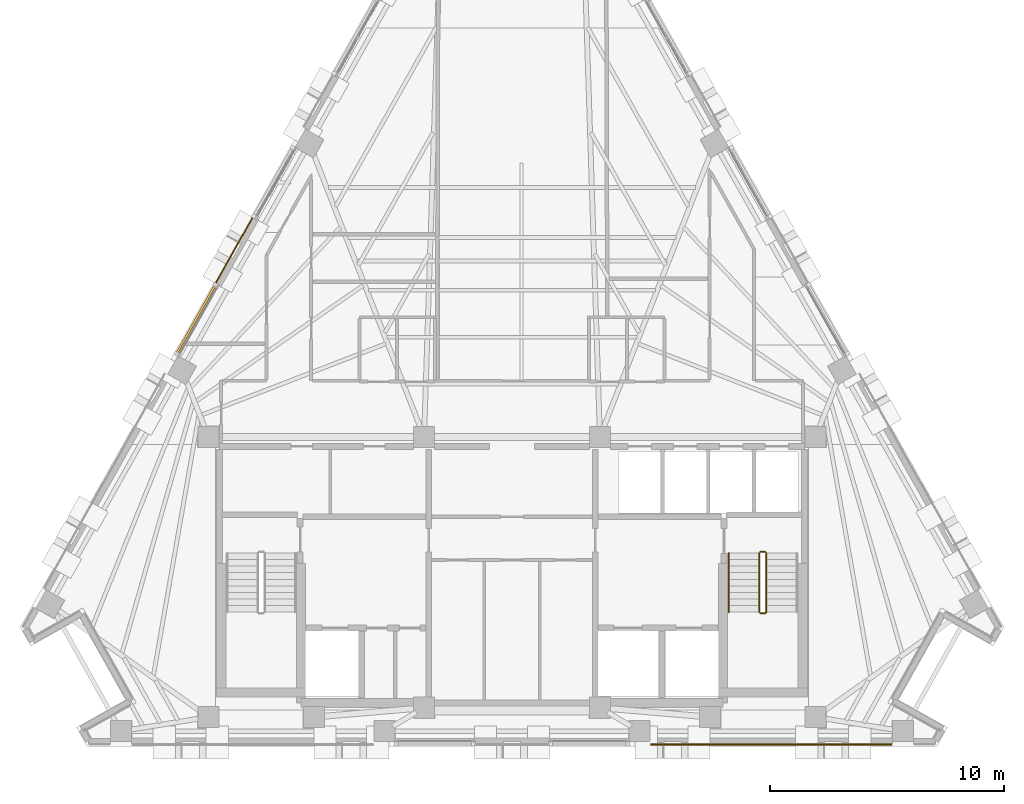
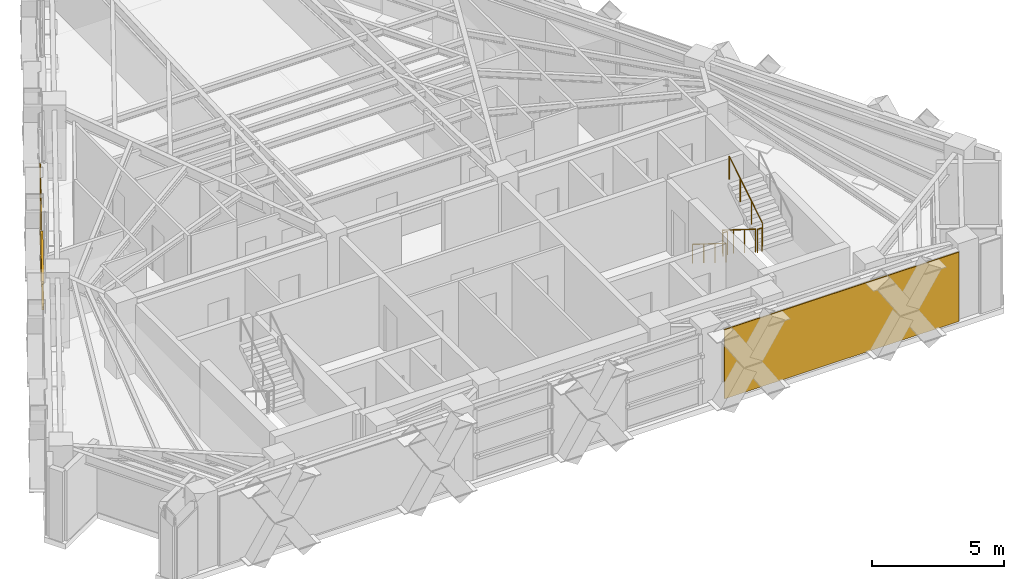
# One storey, part 12 of 13: 5 railings, 2 coverings, 2 shading devices.
"""IFC4 building model written with IfcOpenShell, lengths in metres."""

from ifc_helpers import new_model, si_unit, direction, frame, origin, origin_2d, place, context, subcontext, project, spatial, polyline, rectangle, circle, outline, extrude, material, layer, layer_set, material_profile, profile_set, type_object, element, save


model = new_model("IFC4")

# Units and contexts
model_context = context("Model", 3, precision=1e-05, world=origin(), true_north=direction((0.0, 1.0)))
body_context = subcontext(model_context, "Body", "Model", "MODEL_VIEW")
ifc_project = project(units=[si_unit("LENGTHUNIT", "METRE"), si_unit("AREAUNIT", "SQUARE_METRE"), si_unit("VOLUMEUNIT", "CUBIC_METRE"), si_unit("PLANEANGLEUNIT", "RADIAN"), si_unit("MASSUNIT", "GRAM", prefix="KILO")], contexts=[model_context])

# Site, building, storey
site_placement = place(None, origin())
site = spatial("IfcSite", under=ifc_project, at=site_placement, CompositionType="ELEMENT")
building_placement = place(site_placement, origin())
building = spatial("IfcBuilding", under=site, at=building_placement, Name="Quenlor Broadcast Tower", CompositionType="ELEMENT")
storey_placement = place(building_placement, frame((0.0, 0.0, 214.89990234375)))
storey = spatial("IfcBuildingStorey", under=building, at=storey_placement, Name="L59", CompositionType="ELEMENT", Elevation=214.89990234375)

# Shading devices
ifc_material_1 = material(Name="Architectural Terracotta Ceramic", Category="masonry")
ifc_material_profile = material_profile(ifc_material_1, rectangle(XDim=0.090087890625, YDim=0.139892578125, at=origin_2d()))
ifc_profile_set = profile_set([ifc_material_profile], Name="Architectural Terracotta Ceramic BAG90x140")
shading_device_type = type_object("IfcShadingDeviceType", Name="Copper Terracotta Baguette Solar Screen 140", PredefinedType="USERDEFINED", material=ifc_profile_set)
for number, where, z_axis, x_axis, name in (
    (1, (-14.307861328125, -1.244384765625, 1.170166015625), (0.490195776457, 0.871612356925, 0.0), (-0.871612356925, 0.490195776457, 0.0), "L59 Terracotta Baguette Screen 1"),
    (2, (-14.307861328125, -1.244384765625, 2.340087890625), (0.490195776457, 0.871612356925, 0.0), (-0.871612356925, 0.490195776457, 0.0), "L59 Terracotta Baguette Screen 2"),
):
    element("IfcShadingDevice", number, at=place(storey_placement, frame(where, z_axis=z_axis, x_axis=x_axis)), inside=storey, type_object=shading_device_type, Name=name, ObjectType="BAGUETTE", PredefinedType="USERDEFINED", context=body_context, shape_type="SweptSolid", body=[
        extrude(rectangle(XDim=0.090087890625, YDim=0.139892578125, at=origin_2d()), origin(), (0.0, 0.0, 1.0), 3.3642578125),
    ])

# Coverings
ifc_material_2 = material(Name="Architectural Terracotta Ceramic", Category="masonry")
ifc_layer = layer(ifc_material_2, 0.044921875)
ifc_layer_set = layer_set([ifc_layer], Name="Fluted Terracotta Rainscreen Cladding Panel")
covering_type = type_object("IfcCoveringType", Name="Fluted Terracotta Rainscreen Cladding Panel", PredefinedType="CLADDING", material=ifc_layer_set)
covering_1_placement = place(storey_placement, frame((0.0, 0.0, 0.02001953125)))
element("IfcCovering", 3, at=covering_1_placement, inside=storey, type_object=covering_type, Name="L59 Terracotta Rainscreen Cladding L59-EW-SA", PredefinedType="CLADDING", context=body_context, shape_type="SweptSolid", body=[
    extrude(outline(polyline([(16.19091796875, -17.89697265625), (5.9228515625, -17.89697265625), (5.9228515625, -17.94189453125), (16.19091796875, -17.94189453125), (16.19091796875, -17.89697265625)])), origin(), (0.0, 0.0, 1.0), 3.2099609375),
])
covering_2_placement = place(storey_placement, frame((0.0, 0.0, 0.02001953125)))
element("IfcCovering", 4, at=covering_2_placement, inside=storey, type_object=covering_type, Name="L59 Terracotta Rainscreen Cladding L59-NW-SP1", PredefinedType="CLADDING", context=body_context, shape_type="SweptSolid", body=[
    extrude(outline(polyline([(-12.626220703125, 1.7431640625), (-11.044189453125, 4.555908203125), (-11.08349609375, 4.577880859375), (-12.66552734375, 1.76513671875), (-12.626220703125, 1.7431640625)])), origin(), (0.0, 0.0, 1.0), 3.2099609375),
])

# Railings
ifc_material_3 = material(Name="Anodised Aluminium", Category="aluminium")
railing_type_1 = type_object("IfcRailingType", Name="Stainless Aluminium Wall Handrail 900", PredefinedType="HANDRAIL", material=ifc_material_3)
railing_1_placement = place(storey_placement, frame((9.25, -9.75, 0.175048828125)))
element("IfcRailing", 5, at=railing_1_placement, inside=storey, type_object=railing_type_1, Name="L59 ST-2 stair handrail 1", PredefinedType="HANDRAIL", context=body_context, shape_type="SweptSolid", body=[
    extrude(circle(Radius=0.02392578125, at=origin_2d()), frame((0.0, 0.0, 0.8759765625), z_axis=(0.0, -0.848007534815, 0.529984170421), x_axis=(1.0, 0.0, 0.0)), (0.0, 0.0, 1.0), 2.9716796875),
    extrude(circle(Radius=0.02099609375, at=origin_2d()), origin(), (0.0, 0.0, 1.0), 0.851806640625),
    extrude(circle(Radius=0.02099609375, at=origin_2d()), frame((0.0, -0.840087890625, 0.52490234375)), (0.0, 0.0, 1.0), 0.851806640625),
    extrude(circle(Radius=0.02099609375, at=origin_2d()), frame((0.0, -1.679931640625, 1.050048828125)), (0.0, 0.0, 1.0), 0.851806640625),
    extrude(circle(Radius=0.02099609375, at=origin_2d()), frame((0.0, -2.52001953125, 1.574951171875)), (0.0, 0.0, 1.0), 0.851806640625),
])
ifc_material_4 = material(Name="Steel S355", Category="steel")
railing_type_2 = type_object("IfcRailingType", Name="Tubular Steel S355 Stair Guardrail 1100", PredefinedType="BALUSTRADE", material=ifc_material_4)
railing_2_placement = place(storey_placement, frame((10.550048828125, -9.75, 0.175048828125)))
element("IfcRailing", 6, at=railing_2_placement, inside=storey, type_object=railing_type_2, Name="L59 ST-2 stair guard 1", PredefinedType="BALUSTRADE", context=body_context, shape_type="SweptSolid", body=[
    extrude(circle(Radius=0.02392578125, at=origin_2d()), frame((0.0, 0.0, 1.076171875), z_axis=(0.0, -0.848007534815, 0.529984170421), x_axis=(1.0, 0.0, 0.0)), (0.0, 0.0, 1.0), 2.9716796875),
    extrude(circle(Radius=0.02099609375, at=origin_2d()), origin(), (0.0, 0.0, 1.0), 1.052001953125),
    extrude(circle(Radius=0.02099609375, at=origin_2d()), frame((0.0, -0.840087890625, 0.52490234375)), (0.0, 0.0, 1.0), 1.052001953125),
    extrude(circle(Radius=0.02099609375, at=origin_2d()), frame((0.0, -1.679931640625, 1.050048828125)), (0.0, 0.0, 1.0), 1.052001953125),
    extrude(circle(Radius=0.02099609375, at=origin_2d()), frame((0.0, -2.52001953125, 1.574951171875)), (0.0, 0.0, 1.0), 1.052001953125),
])
railing_3_placement = place(storey_placement, frame((10.60009765625, -12.320068359375, 1.75)))
element("IfcRailing", 7, at=railing_3_placement, inside=storey, type_object=railing_type_2, Name="L59 ST-2 stair guard 2", PredefinedType="BALUSTRADE", context=body_context, shape_type="SweptSolid", body=[
    extrude(circle(Radius=0.02392578125, at=origin_2d()), frame((0.0, 0.0, 1.076171875), z_axis=(1.0, 0.0, 0.0), x_axis=(0.0, 1.0, 0.0)), (0.0, 0.0, 1.0), 0.199951171875),
    extrude(circle(Radius=0.02099609375, at=origin_2d()), origin(), (0.0, 0.0, 1.0), 1.052001953125),
    extrude(circle(Radius=0.02099609375, at=origin_2d()), frame((0.199951171875, 0.0, 0.0)), (0.0, 0.0, 1.0), 1.052001953125),
])
railing_4_placement = place(storey_placement, frame((10.85009765625, -12.27001953125, 1.925048828125)))
element("IfcRailing", 8, at=railing_4_placement, inside=storey, type_object=railing_type_2, Name="L59 ST-2 stair guard 3", PredefinedType="BALUSTRADE", context=body_context, shape_type="SweptSolid", body=[
    extrude(circle(Radius=0.02392578125, at=origin_2d()), frame((0.0, 0.0, 1.076171875), z_axis=(0.0, 0.848007534815, 0.529984170421), x_axis=(-1.0, 0.0, 0.0)), (0.0, 0.0, 1.0), 2.9716796875),
    extrude(circle(Radius=0.02099609375, at=origin_2d()), origin(), (0.0, 0.0, 1.0), 1.052001953125),
    extrude(circle(Radius=0.02099609375, at=origin_2d()), frame((0.0, 0.840087890625, 0.52490234375)), (0.0, 0.0, 1.0), 1.052001953125),
    extrude(circle(Radius=0.02099609375, at=origin_2d()), frame((0.0, 1.679931640625, 1.050048828125)), (0.0, 0.0, 1.0), 1.052001953125),
    extrude(circle(Radius=0.02099609375, at=origin_2d()), frame((0.0, 2.52001953125, 1.574951171875)), (0.0, 0.0, 1.0), 1.052001953125),
])
railing_5_placement = place(storey_placement, frame((10.60009765625, -9.699951171875, 0.0)))
element("IfcRailing", 9, at=railing_5_placement, inside=storey, type_object=railing_type_2, Name="L59 ST-2 stair guard 4", PredefinedType="BALUSTRADE", context=body_context, shape_type="SweptSolid", body=[
    extrude(circle(Radius=0.02392578125, at=origin_2d()), frame((0.0, 0.0, 1.076171875), z_axis=(1.0, 0.0, 0.0), x_axis=(0.0, 1.0, 0.0)), (0.0, 0.0, 1.0), 0.199951171875),
    extrude(circle(Radius=0.02099609375, at=origin_2d()), origin(), (0.0, 0.0, 1.0), 1.052001953125),
    extrude(circle(Radius=0.02099609375, at=origin_2d()), frame((0.199951171875, 0.0, 0.0)), (0.0, 0.0, 1.0), 1.052001953125),
])

save(model, "model.ifc")
